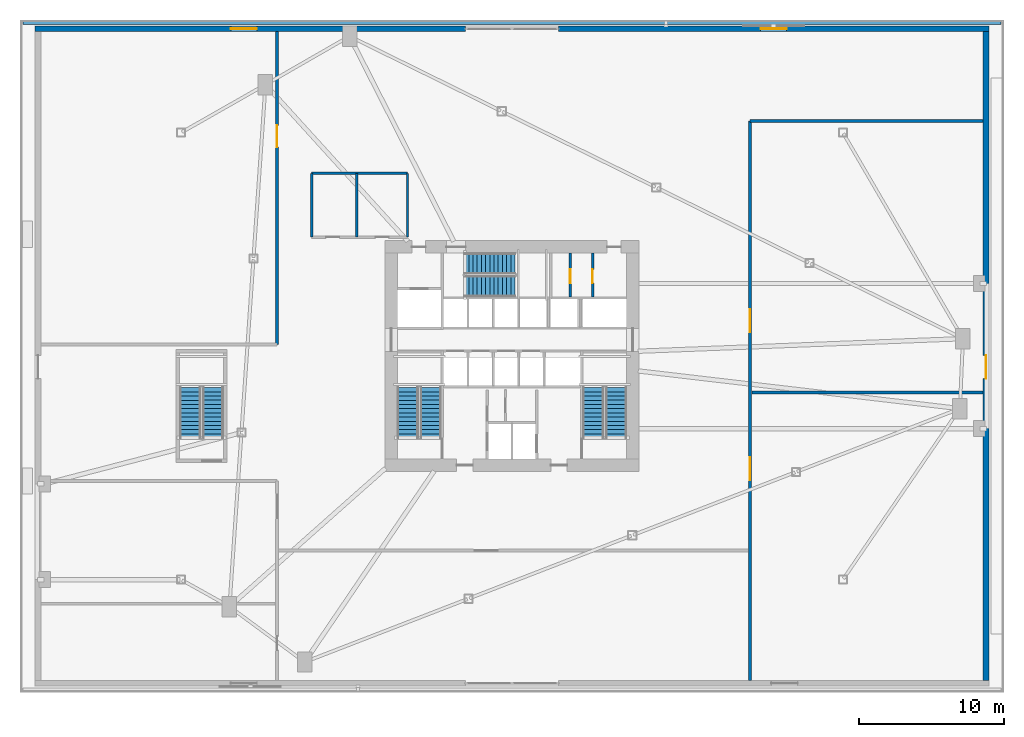
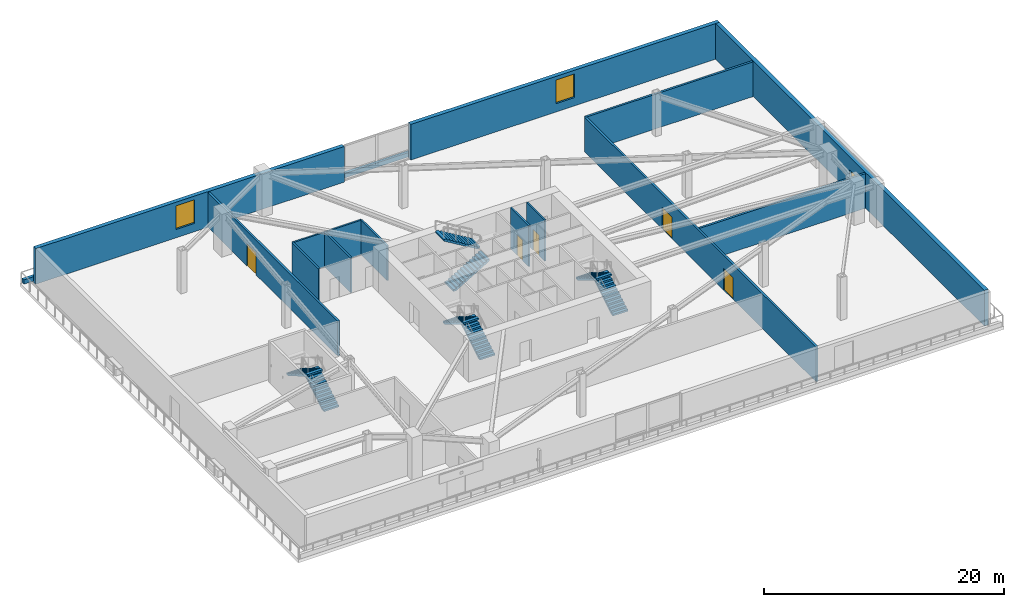
# One storey, part 10 of 16: 14 walls, 8 stair flights, 6 doors, 2 windows, 8 openings, 4 elements without a shape of their own.
"""IFC4 building model written with IfcOpenShell, lengths in metres."""

from ifc_helpers import new_model, si_unit, direction, frame, frame_2d, origin, place, context, subcontext, project, spatial, polyline, rectangle, outline, extrude, source, transform, mapped, material, layer, layer_set, type_object, type_shapes, element, fill, aggregate, save


model = new_model("IFC4")

# Units and contexts
model_context = context("Model", 3, precision=1e-05, world=origin(), true_north=direction((0.0, 1.0)))
body_context = subcontext(model_context, "Body", "Model", "MODEL_VIEW")
ifc_project = project(units=[si_unit("LENGTHUNIT", "METRE"), si_unit("AREAUNIT", "SQUARE_METRE"), si_unit("VOLUMEUNIT", "CUBIC_METRE"), si_unit("PLANEANGLEUNIT", "RADIAN"), si_unit("MASSUNIT", "GRAM", prefix="KILO")], contexts=[model_context])

# Site, building, storey
site_placement = place(None, origin())
site = spatial("IfcSite", under=ifc_project, at=site_placement, CompositionType="ELEMENT")
building_placement = place(site_placement, origin())
building = spatial("IfcBuilding", under=site, at=building_placement, Name="Olszyna Solenne Hotel", CompositionType="ELEMENT")
storey_placement = place(building_placement, frame((0.0, 0.0, 15.60009765625)))
storey = spatial("IfcBuildingStorey", under=building, at=storey_placement, Name="L03", CompositionType="ELEMENT", Elevation=15.60009765625)

# Wall, opening, window
ifc_material_1 = material(Name="Terracotta cladding on precast concrete C45/55", Category="masonry")
ifc_layer_1 = layer(ifc_material_1, 0.3798828125, Name="Terracotta cladding on precast concrete C45/55")
ifc_layer_set_1 = layer_set([ifc_layer_1], Name="Terracotta cladding on precast concrete C45/55")
wall_type_1 = type_object("IfcWallType", Name="WL-EX380", PredefinedType="SOLIDWALL", material=ifc_layer_set_1)
wall_1_placement = place(storey_placement, frame((5.14990234375, 49.14990234375, 0.0), z_axis=(0.0, 0.0, 1.0), x_axis=(1.0, 0.0, 0.0)))
wall_1 = element("IfcWall", 1, at=wall_1_placement, inside=storey, type_object=wall_type_1, Name="Podium terracotta-precast exterior wall EW-L03-NW", PredefinedType="SOLIDWALL", context=body_context, shape_type="SweptSolid", body=[
    extrude(rectangle(XDim=29.650146484375, YDim=0.3798828125, at=frame_2d((14.8251953125, 0.0))), origin(), (0.0, 0.0, 1.0), 3.621826171875),
])
opening_1_placement = place(wall_1_placement, frame((13.47509765625, 0.0, 0.85009765625)))
opening_1 = element("IfcOpeningElement", 2, at=opening_1_placement, cuts=wall_1, Name="Opening WN-L03-015", PredefinedType="OPENING", context=body_context, shape_type="SweptSolid", body=[
    extrude(rectangle(XDim=1.800048828125, YDim=2.39990234375, at=frame_2d((0.89990234375, 1.199951171875))), frame((0.0, 0.199951171875, 0.0), z_axis=(0.0, -1.0, 0.0), x_axis=(1.0, 0.0, 0.0)), (0.0, 0.0, 1.0), 0.39990234375),
])
ifc_material_2 = material(Name="Low-E triple glazing", Category="glass")
window_type = type_object("IfcWindowType", Name="WN-PD2", PartitioningType="SINGLE_PANEL", PredefinedType="WINDOW", material=ifc_material_2)
shared_shape_1 = source(origin(), body_context, "Body", "SweptSolid", [
    extrude(rectangle(XDim=1.800048828125, YDim=2.39990234375, at=frame_2d((0.89990234375, 1.199951171875))), frame((0.0, 0.030029296875, 0.0), z_axis=(0.0, -1.0, 0.0), x_axis=(1.0, 0.0, 0.0)), (0.0, 0.0, 1.0), 0.06005859375),
])
type_shapes(window_type, [shared_shape_1])
window_1_placement = place(opening_1_placement, origin())
window_1 = element("IfcWindow", 3, at=window_1_placement, inside=storey, type_object=window_type, Name="Podium triple-glazed window WN-PD2 WN-L03-015", OverallHeight=2.39990234375, OverallWidth=1.800048828125, PartitioningType="SINGLE_PANEL", PredefinedType="WINDOW", context=body_context, shape_type="MappedRepresentation", body=[
    mapped(shared_shape_1, transform((0.0, 0.0, 0.0), x_axis=(1.0, 0.0, 0.0), y_axis=(0.0, 1.0, 0.0), z_axis=(0.0, 0.0, 1.0), scale=1.0)),
])
fill(opening_1, window_1)

wall_2_placement = place(storey_placement, frame((41.199951171875, 49.14990234375, 0.0), z_axis=(0.0, 0.0, 1.0), x_axis=(1.0, 0.0, 0.0)))
wall_2 = element("IfcWall", 4, at=wall_2_placement, inside=storey, type_object=wall_type_1, Name="Podium terracotta-precast exterior wall EW-L03-NE", PredefinedType="SOLIDWALL", context=body_context, shape_type="SweptSolid", body=[
    extrude(rectangle(XDim=29.650146484375, YDim=0.3798828125, at=frame_2d((14.8251953125, 0.0))), origin(), (0.0, 0.0, 1.0), 3.621826171875),
])
opening_2_placement = place(wall_2_placement, frame((13.925048828125, 0.0, 0.85009765625)))
opening_2 = element("IfcOpeningElement", 5, at=opening_2_placement, cuts=wall_2, Name="Opening WN-L03-016", PredefinedType="OPENING", context=body_context, shape_type="SweptSolid", body=[
    extrude(rectangle(XDim=1.800048828125, YDim=2.39990234375, at=frame_2d((0.89990234375, 1.199951171875))), frame((0.0, 0.199951171875, 0.0), z_axis=(0.0, -1.0, 0.0), x_axis=(1.0, 0.0, 0.0)), (0.0, 0.0, 1.0), 0.39990234375),
])
window_2_placement = place(opening_2_placement, origin())
window_2 = element("IfcWindow", 6, at=window_2_placement, inside=storey, type_object=window_type, Name="Podium triple-glazed window WN-PD2 WN-L03-016", OverallHeight=2.39990234375, OverallWidth=1.800048828125, PartitioningType="SINGLE_PANEL", PredefinedType="WINDOW", context=body_context, shape_type="MappedRepresentation", body=[
    mapped(shared_shape_1, transform((0.0, 0.0, 0.0), x_axis=(1.0, 0.0, 0.0), y_axis=(0.0, 1.0, 0.0), z_axis=(0.0, 0.0, 1.0), scale=1.0)),
])
fill(opening_2, window_2)

# Wall, opening, door
wall_3_placement = place(storey_placement, frame((70.659912109375, 48.9599609375, 0.0), z_axis=(0.0, 0.0, 1.0), x_axis=(0.0, -1.0, 0.0)))
wall_3 = element("IfcWall", 7, at=wall_3_placement, inside=storey, type_object=wall_type_1, Name="Podium terracotta-precast exterior wall EW-L03-E", PredefinedType="SOLIDWALL", context=body_context, shape_type="SweptSolid", body=[
    extrude(rectangle(XDim=44.719970703125, YDim=0.3798828125, at=frame_2d((22.35986328125, 0.0))), origin(), (0.0, 0.0, 1.0), 3.621826171875),
])
opening_3_placement = place(wall_3_placement, frame((22.31005859375, 0.0, 0.0)))
opening_3 = element("IfcOpeningElement", 8, at=opening_3_placement, cuts=wall_3, Name="Opening TD-L03-E", PredefinedType="OPENING", context=body_context, shape_type="SweptSolid", body=[
    extrude(rectangle(XDim=1.60009765625, YDim=2.300048828125, at=frame_2d((0.800048828125, 1.14990234375))), frame((0.0, 0.199951171875, 0.0), z_axis=(0.0, -1.0, 0.0), x_axis=(1.0, 0.0, 0.0)), (0.0, 0.0, 1.0), 0.39990234375),
])
ifc_material_3 = material(Name="Anodised bronze aluminium", Category="aluminium")
door_type_1 = type_object("IfcDoorType", Name="DR-EX2", OperationType="DOUBLE_DOOR_SINGLE_SWING", PredefinedType="DOOR", material=ifc_material_3)
shared_shape_2 = source(origin(), body_context, "Body", "SweptSolid", [
    extrude(rectangle(XDim=1.60009765625, YDim=2.300048828125, at=frame_2d((0.800048828125, 1.14990234375))), frame((0.0, 0.02490234375, 0.0), z_axis=(0.0, -1.0, 0.0), x_axis=(1.0, 0.0, 0.0)), (0.0, 0.0, 1.0), 0.050048828125),
])
type_shapes(door_type_1, [shared_shape_2])
door_1_placement = place(opening_3_placement, origin())
door_1 = element("IfcDoor", 9, at=door_1_placement, inside=storey, type_object=door_type_1, Name="Garden Terrace Double Door TD-L03-E", OperationType="DOUBLE_DOOR_SINGLE_SWING", OverallHeight=2.300048828125, OverallWidth=1.60009765625, PredefinedType="DOOR", context=body_context, shape_type="MappedRepresentation", body=[
    mapped(shared_shape_2, transform((0.0, 0.0, 0.0), x_axis=(1.0, 0.0, 0.0), y_axis=(0.0, 1.0, 0.0), z_axis=(0.0, 0.0, 1.0), scale=1.0)),
])
fill(opening_3, door_1)

# Wall
ifc_layer_2 = layer(ifc_material_1, 0.280029296875, Name="Terracotta cladding on precast concrete C45/55")
ifc_layer_set_2 = layer_set([ifc_layer_2], Name="Terracotta cladding on precast concrete C45/55")
wall_type_2 = type_object("IfcWallType", Name="WL-PR280", PredefinedType="PARAPET", material=ifc_layer_set_2)
wall_4_placement = place(storey_placement, frame((4.300048828125, 49.60009765625, 0.0), z_axis=(0.0, 0.0, 1.0), x_axis=(1.0, 0.0, 0.0)))
element("IfcWall", 10, at=wall_4_placement, inside=storey, type_object=wall_type_2, Name="Garden terrace parapet upstand PR-L03-N", PredefinedType="PARAPET", context=body_context, shape_type="SweptSolid", body=[
    extrude(rectangle(XDim=67.39990234375, YDim=0.280029296875, at=frame_2d((33.699951171875, 0.0))), origin(), (0.0, 0.0, 1.0), 0.449951171875),
])

# Wall, opening, door
ifc_material_4 = material(Name="Acoustic gypsum partition", Category="gypsum")
ifc_layer_3 = layer(ifc_material_4, 0.159912109375, Name="Acoustic gypsum partition")
ifc_layer_set_3 = layer_set([ifc_layer_3], Name="Acoustic gypsum partition")
wall_type_3 = type_object("IfcWallType", Name="WL-PT160", PredefinedType="PARTITIONING", material=ifc_layer_set_3)
wall_5_placement = place(storey_placement, frame((42.014892578125, 30.679931640625, 0.0), z_axis=(0.0, 0.0, 1.0), x_axis=(0.0, 1.0, 0.0)))
wall_5 = element("IfcWall", 11, at=wall_5_placement, inside=storey, type_object=wall_type_3, Name="Core shaft compartment wall CW-L03-BOH3A", PredefinedType="PARTITIONING", context=body_context, shape_type="SweptSolid", body=[
    extrude(rectangle(XDim=3.02001953125, YDim=0.159912109375, at=frame_2d((1.510009765625, 0.0))), origin(), (0.0, 0.0, 1.0), 4.179931640625),
])
opening_4_placement = place(wall_5_placement, frame((0.949951171875, 0.0, 0.0)))
opening_4 = element("IfcOpeningElement", 12, at=opening_4_placement, cuts=wall_5, Name="Opening SVD-L03-B31", PredefinedType="OPENING", context=body_context, shape_type="SweptSolid", body=[
    extrude(rectangle(XDim=0.949951171875, YDim=2.10009765625, at=frame_2d((0.47509765625, 1.050048828125))), frame((0.0, 0.08984375, 0.0), z_axis=(0.0, -1.0, 0.0), x_axis=(1.0, 0.0, 0.0)), (0.0, 0.0, 1.0), 0.179931640625),
])
ifc_material_5 = material(Name="Steel S355J2", Category="steel")
door_type_2 = type_object("IfcDoorType", Name="DR-SV1", OperationType="NOTDEFINED", PredefinedType="DOOR", material=ifc_material_5)
shared_shape_3 = source(origin(), body_context, "Body", "SweptSolid", [
    extrude(rectangle(XDim=0.949951171875, YDim=2.10009765625, at=frame_2d((0.47509765625, 1.050048828125))), frame((0.0, 0.02490234375, 0.0), z_axis=(0.0, -1.0, 0.0), x_axis=(1.0, 0.0, 0.0)), (0.0, 0.0, 1.0), 0.050048828125),
])
type_shapes(door_type_2, [shared_shape_3])
door_2_placement = place(opening_4_placement, origin())
door_2 = element("IfcDoor", 13, at=door_2_placement, inside=storey, type_object=door_type_2, Name="BOH inter-room fire door SVD-L03-B31", OperationType="SINGLE_SWING_LEFT", OverallHeight=2.10009765625, OverallWidth=0.949951171875, PredefinedType="DOOR", context=body_context, shape_type="MappedRepresentation", body=[
    mapped(shared_shape_3, transform((0.0, 0.0, 0.0), x_axis=(1.0, 0.0, 0.0), y_axis=(0.0, 1.0, 0.0), z_axis=(0.0, 0.0, 1.0), scale=1.0)),
])
fill(opening_4, door_2)

wall_6_placement = place(storey_placement, frame((43.554931640625, 30.679931640625, 0.0), z_axis=(0.0, 0.0, 1.0), x_axis=(0.0, 1.0, 0.0)))
wall_6 = element("IfcWall", 14, at=wall_6_placement, inside=storey, type_object=wall_type_3, Name="Core shaft compartment wall CW-L03-BOH3B", PredefinedType="PARTITIONING", context=body_context, shape_type="SweptSolid", body=[
    extrude(rectangle(XDim=3.02001953125, YDim=0.159912109375, at=frame_2d((1.510009765625, 0.0))), origin(), (0.0, 0.0, 1.0), 4.179931640625),
])
opening_5_placement = place(wall_6_placement, frame((0.949951171875, 0.0, 0.0)))
opening_5 = element("IfcOpeningElement", 15, at=opening_5_placement, cuts=wall_6, Name="Opening SVD-L03-B32", PredefinedType="OPENING", context=body_context, shape_type="SweptSolid", body=[
    extrude(rectangle(XDim=0.949951171875, YDim=2.10009765625, at=frame_2d((0.47509765625, 1.050048828125))), frame((0.0, 0.08984375, 0.0), z_axis=(0.0, -1.0, 0.0), x_axis=(1.0, 0.0, 0.0)), (0.0, 0.0, 1.0), 0.179931640625),
])
door_3_placement = place(opening_5_placement, origin())
door_3 = element("IfcDoor", 16, at=door_3_placement, inside=storey, type_object=door_type_2, Name="BOH inter-room fire door SVD-L03-B32", OperationType="SINGLE_SWING_LEFT", OverallHeight=2.10009765625, OverallWidth=0.949951171875, PredefinedType="DOOR", context=body_context, shape_type="MappedRepresentation", body=[
    mapped(shared_shape_3, transform((0.0, 0.0, 0.0), x_axis=(1.0, 0.0, 0.0), y_axis=(0.0, 1.0, 0.0), z_axis=(0.0, 0.0, 1.0), scale=1.0)),
])
fill(opening_5, door_3)

# Walls
wall_7_placement = place(storey_placement, frame((24.199951171875, 39.199951171875, 0.0), z_axis=(0.0, 0.0, 1.0), x_axis=(1.0, 0.0, 0.0)))
element("IfcWall", 17, at=wall_7_placement, inside=storey, type_object=wall_type_3, Name="Interior acoustic partition WL-PT160 PW-L03-0238", PredefinedType="PARTITIONING", context=body_context, shape_type="SweptSolid", body=[
    extrude(rectangle(XDim=6.60009765625, YDim=0.159912109375, at=frame_2d((3.300048828125, 0.0))), origin(), (0.0, 0.0, 1.0), 3.52978515625),
])
for number, where, z_axis, x_axis, name in (
    (18, (24.199951171875, 34.800048828125, 0.0), (0.0, 0.0, 1.0), (0.0, 1.0, 0.0), "Interior acoustic partition WL-PT160 PW-L03-0239"),
    (19, (27.300048828125, 34.800048828125, 0.0), (0.0, 0.0, 1.0), (0.0, 1.0, 0.0), "Interior acoustic partition WL-PT160 PW-L03-0240"),
    (20, (30.800048828125, 34.800048828125, 0.0), (0.0, 0.0, 1.0), (0.0, 1.0, 0.0), "Interior acoustic partition WL-PT160 PW-L03-0241"),
):
    element("IfcWall", number, at=place(storey_placement, frame(where, z_axis=z_axis, x_axis=x_axis)), inside=storey, type_object=wall_type_3, Name=name, PredefinedType="PARTITIONING", context=body_context, shape_type="SweptSolid", body=[
        extrude(rectangle(XDim=4.39990234375, YDim=0.159912109375, at=frame_2d((2.199951171875, 0.0))), origin(), (0.0, 0.0, 1.0), 3.52978515625),
    ])

# Wall, opening, door
ifc_layer_4 = layer(ifc_material_4, 0.199951171875, Name="Acoustic gypsum partition")
ifc_layer_set_4 = layer_set([ifc_layer_4], Name="Acoustic gypsum partition")
wall_type_4 = type_object("IfcWallType", Name="WL-PT200", PredefinedType="PARTITIONING", material=ifc_layer_set_4)
wall_8_placement = place(storey_placement, frame((21.800048828125, 27.39990234375, 0.0), z_axis=(0.0, 0.0, 1.0), x_axis=(0.0, 1.0, 0.0)))
wall_8 = element("IfcWall", 21, at=wall_8_placement, inside=storey, type_object=wall_type_4, Name="Interior acoustic partition WL-PT200 PW-L03-0231", PredefinedType="PARTITIONING", context=body_context, shape_type="SweptSolid", body=[
    extrude(rectangle(XDim=21.56005859375, YDim=0.199951171875, at=frame_2d((10.780029296875, 0.0))), origin(), (0.0, 0.0, 1.0), 3.52978515625),
])
opening_6_placement = place(wall_8_placement, frame((13.60009765625, 0.0, 0.0)))
opening_6 = element("IfcOpeningElement", 22, at=opening_6_placement, cuts=wall_8, Name="Opening DR-L03-0047", PredefinedType="OPENING", context=body_context, shape_type="SweptSolid", body=[
    extrude(rectangle(XDim=1.5, YDim=2.25, at=frame_2d((0.75, 1.125))), frame((0.0, 0.10986328125, 0.0), z_axis=(0.0, -1.0, 0.0), x_axis=(1.0, 0.0, 0.0)), (0.0, 0.0, 1.0), 0.219970703125),
])
door_type_3 = type_object("IfcDoorType", Name="DR-PL1", OperationType="DOUBLE_DOOR_SINGLE_SWING", PredefinedType="DOOR", material=ifc_material_5)
shared_shape_4 = source(origin(), body_context, "Body", "SweptSolid", [
    extrude(rectangle(XDim=1.5, YDim=2.25, at=frame_2d((0.75, 1.125))), frame((0.0, 0.02490234375, 0.0), z_axis=(0.0, -1.0, 0.0), x_axis=(1.0, 0.0, 0.0)), (0.0, 0.0, 1.0), 0.050048828125),
])
type_shapes(door_type_3, [shared_shape_4])
door_4_placement = place(opening_6_placement, origin())
door_4 = element("IfcDoor", 23, at=door_4_placement, inside=storey, type_object=door_type_3, Name="Kitchen Double Door DR-L03-0047", OperationType="DOUBLE_DOOR_SINGLE_SWING", OverallHeight=2.25, OverallWidth=1.5, PredefinedType="DOOR", context=body_context, shape_type="MappedRepresentation", body=[
    mapped(shared_shape_4, transform((0.0, 0.0, 0.0), x_axis=(1.0, 0.0, 0.0), y_axis=(0.0, 1.0, 0.0), z_axis=(0.0, 0.0, 1.0), scale=1.0)),
])
fill(opening_6, door_4)

# Wall, openings, doors
wall_9_placement = place(storey_placement, frame((54.39990234375, 4.239990234375, 0.0), z_axis=(0.0, 0.0, 1.0), x_axis=(0.0, 1.0, 0.0)))
wall_9 = element("IfcWall", 24, at=wall_9_placement, inside=storey, type_object=wall_type_4, Name="Interior acoustic partition WL-PT200 PW-L03-0234", PredefinedType="PARTITIONING", context=body_context, shape_type="SweptSolid", body=[
    extrude(rectangle(XDim=38.56005859375, YDim=0.199951171875, at=frame_2d((19.280029296875, 0.0))), origin(), (0.0, 0.0, 1.0), 3.52978515625),
])
opening_7_placement = place(wall_9_placement, frame((13.800048828125, 0.0, 0.0)))
opening_7 = element("IfcOpeningElement", 25, at=opening_7_placement, cuts=wall_9, Name="Opening DR-L03-0049", PredefinedType="OPENING", context=body_context, shape_type="SweptSolid", body=[
    extrude(rectangle(XDim=1.60009765625, YDim=2.199951171875, at=frame_2d((0.800048828125, 1.10009765625))), frame((0.0, 0.10986328125, 0.0), z_axis=(0.0, -1.0, 0.0), x_axis=(1.0, 0.0, 0.0)), (0.0, 0.0, 1.0), 0.219970703125),
])
opening_8_placement = place(wall_9_placement, frame((24.0, 0.0, 0.0)))
opening_8 = element("IfcOpeningElement", 26, at=opening_8_placement, cuts=wall_9, Name="Opening DR-L03-0050", PredefinedType="OPENING", context=body_context, shape_type="SweptSolid", body=[
    extrude(rectangle(XDim=1.60009765625, YDim=2.199951171875, at=frame_2d((0.800048828125, 1.10009765625))), frame((0.0, 0.10986328125, 0.0), z_axis=(0.0, -1.0, 0.0), x_axis=(1.0, 0.0, 0.0)), (0.0, 0.0, 1.0), 0.219970703125),
])
ifc_material_6 = material(Name="Timber hardwood", Category="wood")
door_type_4 = type_object("IfcDoorType", Name="DR-CR1", OperationType="DOUBLE_DOOR_SINGLE_SWING", PredefinedType="DOOR", material=ifc_material_6)
shared_shape_5 = source(origin(), body_context, "Body", "SweptSolid", [
    extrude(rectangle(XDim=1.60009765625, YDim=2.199951171875, at=frame_2d((0.800048828125, 1.10009765625))), frame((0.0, 0.02490234375, 0.0), z_axis=(0.0, -1.0, 0.0), x_axis=(1.0, 0.0, 0.0)), (0.0, 0.0, 1.0), 0.050048828125),
])
type_shapes(door_type_4, [shared_shape_5])
door_5_placement = place(opening_7_placement, origin())
door_5 = element("IfcDoor", 27, at=door_5_placement, inside=storey, type_object=door_type_4, Name="East Foyer Entrance DR-L03-0049", OperationType="DOUBLE_DOOR_SINGLE_SWING", OverallHeight=2.199951171875, OverallWidth=1.60009765625, PredefinedType="DOOR", context=body_context, shape_type="MappedRepresentation", body=[
    mapped(shared_shape_5, transform((0.0, 0.0, 0.0), x_axis=(1.0, 0.0, 0.0), y_axis=(0.0, 1.0, 0.0), z_axis=(0.0, 0.0, 1.0), scale=1.0)),
])
fill(opening_7, door_5)
door_6_placement = place(opening_8_placement, origin())
door_6 = element("IfcDoor", 28, at=door_6_placement, inside=storey, type_object=door_type_4, Name="East Gallery Entrance DR-L03-0050", OperationType="DOUBLE_DOOR_SINGLE_SWING", OverallHeight=2.199951171875, OverallWidth=1.60009765625, PredefinedType="DOOR", context=body_context, shape_type="MappedRepresentation", body=[
    mapped(shared_shape_5, transform((0.0, 0.0, 0.0), x_axis=(1.0, 0.0, 0.0), y_axis=(0.0, 1.0, 0.0), z_axis=(0.0, 0.0, 1.0), scale=1.0)),
])
fill(opening_8, door_6)

# Walls
wall_10_placement = place(storey_placement, frame((54.52001953125, 24.10009765625, 0.0), z_axis=(0.0, 0.0, 1.0), x_axis=(1.0, 0.0, 0.0)))
element("IfcWall", 29, at=wall_10_placement, inside=storey, type_object=wall_type_4, Name="Interior acoustic partition WL-PT200 PW-L03-0235", PredefinedType="PARTITIONING", context=body_context, shape_type="SweptSolid", body=[
    extrude(rectangle(XDim=15.949951171875, YDim=0.199951171875, at=frame_2d((7.97509765625, 0.0))), origin(), (0.0, 0.0, 1.0), 3.52978515625),
])
wall_11_placement = place(storey_placement, frame((54.39990234375, 42.800048828125, 0.0), z_axis=(0.0, 0.0, 1.0), x_axis=(1.0, 0.0, 0.0)))
element("IfcWall", 30, at=wall_11_placement, inside=storey, type_object=wall_type_4, Name="Interior acoustic partition WL-PT200 PW-L03-0236", PredefinedType="PARTITIONING", context=body_context, shape_type="SweptSolid", body=[
    extrude(rectangle(XDim=16.070068359375, YDim=0.199951171875, at=frame_2d((8.03515625, 0.0))), origin(), (0.0, 0.0, 1.0), 3.52978515625),
])

# Stair, stair flights
ifc_material_7 = material(Name="Concrete C40/50", Category="concrete")
stair_type_1 = type_object("IfcStairType", Name="STR-C1", PredefinedType="TWO_QUARTER_WINDING_STAIR", material=ifc_material_7)
stair_1_placement = place(storey_placement, origin())
stair_1 = element("IfcStair", 31, at=stair_1_placement, inside=storey, type_object=stair_type_1, Name="L03 ST1", PredefinedType="TWO_QUARTER_WINDING_STAIR")
stair_flight_type_1 = type_object("IfcStairFlightType", Name="FLT-C1", PredefinedType="STRAIGHT", material=ifc_material_7)
stair_flight_1_placement = place(storey_placement, frame((32.39501953125, 20.949951171875, 0.0), z_axis=(0.0, 0.0, 1.0), x_axis=(0.0, 1.0, 0.0)))
stair_flight_1 = element("IfcStairFlight", 32, at=stair_flight_1_placement, type_object=stair_flight_type_1, Name="ST1 flight 1", NumberOfRisers=13, NumberOfTreads=12, PredefinedType="STRAIGHT", RiserHeight=0.173076923, TreadLength=0.29, context=body_context, shape_type="SweptSolid", body=[
    extrude(outline(polyline([(0.0, 0.0), (0.0, 0.173095703125), (0.2900390625, 0.173095703125), (0.2900390625, 0.34619140625), (0.580078125, 0.34619140625), (0.580078125, 0.519287109375), (0.8701171875, 0.519287109375), (0.8701171875, 0.6923828125), (1.159912109375, 0.6923828125), (1.159912109375, 0.865478515625), (1.449951171875, 0.865478515625), (1.449951171875, 1.03857421875), (1.739990234375, 1.03857421875), (1.739990234375, 1.21142578125), (2.030029296875, 1.21142578125), (2.030029296875, 1.384521484375), (2.320068359375, 1.384521484375), (2.320068359375, 1.5576171875), (2.610107421875, 1.5576171875), (2.610107421875, 1.730712890625), (2.89990234375, 1.730712890625), (2.89990234375, 1.90380859375), (3.18994140625, 1.90380859375), (3.18994140625, 2.076904296875), (3.47998046875, 2.076904296875), (3.47998046875, 2.25), (3.47998046875, 1.90234375), (0.29248046875, 0.0), (0.0, 0.0)])), frame((0.0, 0.72509765625, 0.0), z_axis=(0.0, -1.0, 0.0), x_axis=(1.0, 0.0, 0.0)), (0.0, 0.0, 1.0), 1.449951171875),
])
stair_flight_2_placement = place(storey_placement, frame((30.824951171875, 24.429931640625, 2.25), z_axis=(0.0, 0.0, 1.0), x_axis=(0.0, -1.0, 0.0)))
stair_flight_2 = element("IfcStairFlight", 33, at=stair_flight_2_placement, type_object=stair_flight_type_1, Name="ST1 flight 2", NumberOfRisers=13, NumberOfTreads=12, PredefinedType="STRAIGHT", RiserHeight=0.173076923, TreadLength=0.29, context=body_context, shape_type="SweptSolid", body=[
    extrude(outline(polyline([(0.0, 0.0), (0.0, 0.173095703125), (0.2900390625, 0.173095703125), (0.2900390625, 0.34619140625), (0.580078125, 0.34619140625), (0.580078125, 0.519287109375), (0.8701171875, 0.519287109375), (0.8701171875, 0.6923828125), (1.159912109375, 0.6923828125), (1.159912109375, 0.865478515625), (1.449951171875, 0.865478515625), (1.449951171875, 1.03857421875), (1.739990234375, 1.03857421875), (1.739990234375, 1.21142578125), (2.030029296875, 1.21142578125), (2.030029296875, 1.384521484375), (2.320068359375, 1.384521484375), (2.320068359375, 1.5576171875), (2.610107421875, 1.5576171875), (2.610107421875, 1.730712890625), (2.89990234375, 1.730712890625), (2.89990234375, 1.90380859375), (3.18994140625, 1.90380859375), (3.18994140625, 2.076904296875), (3.47998046875, 2.076904296875), (3.47998046875, 2.25), (3.47998046875, 1.90234375), (0.29248046875, 0.0), (0.0, 0.0)])), frame((0.0, 0.72509765625, 0.0), z_axis=(0.0, -1.0, 0.0), x_axis=(1.0, 0.0, 0.0)), (0.0, 0.0, 1.0), 1.449951171875),
])
aggregate(stair_1, [stair_flight_1, stair_flight_2])

stair_2_placement = place(storey_placement, origin())
stair_2 = element("IfcStair", 34, at=stair_2_placement, inside=storey, type_object=stair_type_1, Name="L03 ST2", PredefinedType="TWO_QUARTER_WINDING_STAIR")
stair_flight_3_placement = place(storey_placement, frame((45.175048828125, 20.949951171875, 0.0), z_axis=(0.0, 0.0, 1.0), x_axis=(0.0, 1.0, 0.0)))
stair_flight_3 = element("IfcStairFlight", 35, at=stair_flight_3_placement, type_object=stair_flight_type_1, Name="ST2 flight 1", NumberOfRisers=13, NumberOfTreads=12, PredefinedType="STRAIGHT", RiserHeight=0.173076923, TreadLength=0.29, context=body_context, shape_type="SweptSolid", body=[
    extrude(outline(polyline([(0.0, 0.0), (0.0, 0.173095703125), (0.2900390625, 0.173095703125), (0.2900390625, 0.34619140625), (0.580078125, 0.34619140625), (0.580078125, 0.519287109375), (0.8701171875, 0.519287109375), (0.8701171875, 0.6923828125), (1.159912109375, 0.6923828125), (1.159912109375, 0.865478515625), (1.449951171875, 0.865478515625), (1.449951171875, 1.03857421875), (1.739990234375, 1.03857421875), (1.739990234375, 1.21142578125), (2.030029296875, 1.21142578125), (2.030029296875, 1.384521484375), (2.320068359375, 1.384521484375), (2.320068359375, 1.5576171875), (2.610107421875, 1.5576171875), (2.610107421875, 1.730712890625), (2.89990234375, 1.730712890625), (2.89990234375, 1.90380859375), (3.18994140625, 1.90380859375), (3.18994140625, 2.076904296875), (3.47998046875, 2.076904296875), (3.47998046875, 2.25), (3.47998046875, 1.90234375), (0.29248046875, 0.0), (0.0, 0.0)])), frame((0.0, 0.72509765625, 0.0), z_axis=(0.0, -1.0, 0.0), x_axis=(1.0, 0.0, 0.0)), (0.0, 0.0, 1.0), 1.449951171875),
])
stair_flight_4_placement = place(storey_placement, frame((43.60498046875, 24.429931640625, 2.25), z_axis=(0.0, 0.0, 1.0), x_axis=(0.0, -1.0, 0.0)))
stair_flight_4 = element("IfcStairFlight", 36, at=stair_flight_4_placement, type_object=stair_flight_type_1, Name="ST2 flight 2", NumberOfRisers=13, NumberOfTreads=12, PredefinedType="STRAIGHT", RiserHeight=0.173076923, TreadLength=0.29, context=body_context, shape_type="SweptSolid", body=[
    extrude(outline(polyline([(0.0, 0.0), (0.0, 0.173095703125), (0.2900390625, 0.173095703125), (0.2900390625, 0.34619140625), (0.580078125, 0.34619140625), (0.580078125, 0.519287109375), (0.8701171875, 0.519287109375), (0.8701171875, 0.6923828125), (1.159912109375, 0.6923828125), (1.159912109375, 0.865478515625), (1.449951171875, 0.865478515625), (1.449951171875, 1.03857421875), (1.739990234375, 1.03857421875), (1.739990234375, 1.21142578125), (2.030029296875, 1.21142578125), (2.030029296875, 1.384521484375), (2.320068359375, 1.384521484375), (2.320068359375, 1.5576171875), (2.610107421875, 1.5576171875), (2.610107421875, 1.730712890625), (2.89990234375, 1.730712890625), (2.89990234375, 1.90380859375), (3.18994140625, 1.90380859375), (3.18994140625, 2.076904296875), (3.47998046875, 2.076904296875), (3.47998046875, 2.25), (3.47998046875, 1.90234375), (0.29248046875, 0.0), (0.0, 0.0)])), frame((0.0, 0.72509765625, 0.0), z_axis=(0.0, -1.0, 0.0), x_axis=(1.0, 0.0, 0.0)), (0.0, 0.0, 1.0), 1.449951171875),
])
aggregate(stair_2, [stair_flight_3, stair_flight_4])

stair_3_placement = place(storey_placement, origin())
stair_3 = element("IfcStair", 37, at=stair_3_placement, inside=storey, type_object=stair_type_1, Name="L03 ST3", PredefinedType="TWO_QUARTER_WINDING_STAIR")
stair_flight_5_placement = place(storey_placement, frame((34.72998046875, 31.405029296875, 0.0), z_axis=(0.0, 0.0, 1.0), x_axis=(1.0, 0.0, 0.0)))
stair_flight_5 = element("IfcStairFlight", 38, at=stair_flight_5_placement, type_object=stair_flight_type_1, Name="ST3 flight 1", NumberOfRisers=13, NumberOfTreads=12, PredefinedType="STRAIGHT", RiserHeight=0.173076923, TreadLength=0.29, context=body_context, shape_type="SweptSolid", body=[
    extrude(outline(polyline([(0.0, 0.0), (0.0, 0.173095703125), (0.2900390625, 0.173095703125), (0.2900390625, 0.34619140625), (0.580078125, 0.34619140625), (0.580078125, 0.519287109375), (0.8701171875, 0.519287109375), (0.8701171875, 0.6923828125), (1.159912109375, 0.6923828125), (1.159912109375, 0.865478515625), (1.449951171875, 0.865478515625), (1.449951171875, 1.03857421875), (1.739990234375, 1.03857421875), (1.739990234375, 1.21142578125), (2.030029296875, 1.21142578125), (2.030029296875, 1.384521484375), (2.320068359375, 1.384521484375), (2.320068359375, 1.5576171875), (2.610107421875, 1.5576171875), (2.610107421875, 1.730712890625), (2.89990234375, 1.730712890625), (2.89990234375, 1.90380859375), (3.18994140625, 1.90380859375), (3.18994140625, 2.076904296875), (3.47998046875, 2.076904296875), (3.47998046875, 2.25), (3.47998046875, 1.90234375), (0.29248046875, 0.0), (0.0, 0.0)])), frame((0.0, 0.72509765625, 0.0), z_axis=(0.0, -1.0, 0.0), x_axis=(1.0, 0.0, 0.0)), (0.0, 0.0, 1.0), 1.449951171875),
])
stair_flight_6_placement = place(storey_placement, frame((38.2099609375, 32.97509765625, 2.25), z_axis=(0.0, 0.0, 1.0), x_axis=(-1.0, 0.0, 0.0)))
stair_flight_6 = element("IfcStairFlight", 39, at=stair_flight_6_placement, type_object=stair_flight_type_1, Name="ST3 flight 2", NumberOfRisers=13, NumberOfTreads=12, PredefinedType="STRAIGHT", RiserHeight=0.173076923, TreadLength=0.29, context=body_context, shape_type="SweptSolid", body=[
    extrude(outline(polyline([(0.0, 0.0), (0.0, 0.173095703125), (0.2900390625, 0.173095703125), (0.2900390625, 0.34619140625), (0.580078125, 0.34619140625), (0.580078125, 0.519287109375), (0.8701171875, 0.519287109375), (0.8701171875, 0.6923828125), (1.159912109375, 0.6923828125), (1.159912109375, 0.865478515625), (1.449951171875, 0.865478515625), (1.449951171875, 1.03857421875), (1.739990234375, 1.03857421875), (1.739990234375, 1.21142578125), (2.030029296875, 1.21142578125), (2.030029296875, 1.384521484375), (2.320068359375, 1.384521484375), (2.320068359375, 1.5576171875), (2.610107421875, 1.5576171875), (2.610107421875, 1.730712890625), (2.89990234375, 1.730712890625), (2.89990234375, 1.90380859375), (3.18994140625, 1.90380859375), (3.18994140625, 2.076904296875), (3.47998046875, 2.076904296875), (3.47998046875, 2.25), (3.47998046875, 1.90234375), (0.29248046875, 0.0), (0.0, 0.0)])), frame((0.0, 0.72509765625, 0.0), z_axis=(0.0, -1.0, 0.0), x_axis=(1.0, 0.0, 0.0)), (0.0, 0.0, 1.0), 1.449951171875),
])
aggregate(stair_3, [stair_flight_5, stair_flight_6])

stair_type_2 = type_object("IfcStairType", Name="STR-P1", PredefinedType="TWO_QUARTER_WINDING_STAIR", material=ifc_material_7)
stair_4_placement = place(storey_placement, origin())
stair_4 = element("IfcStair", 40, at=stair_4_placement, inside=storey, type_object=stair_type_2, Name="L03 ST4", PredefinedType="TWO_QUARTER_WINDING_STAIR")
stair_flight_type_2 = type_object("IfcStairFlightType", Name="FLT-P1", PredefinedType="STRAIGHT", material=ifc_material_7)
stair_flight_7_placement = place(storey_placement, frame((17.39501953125, 20.949951171875, 0.0), z_axis=(0.0, 0.0, 1.0), x_axis=(0.0, 1.0, 0.0)))
stair_flight_7 = element("IfcStairFlight", 41, at=stair_flight_7_placement, type_object=stair_flight_type_2, Name="ST4 flight 1", NumberOfRisers=13, NumberOfTreads=12, PredefinedType="STRAIGHT", RiserHeight=0.173076923, TreadLength=0.29, context=body_context, shape_type="SweptSolid", body=[
    extrude(outline(polyline([(0.0, 0.0), (0.0, 0.173095703125), (0.2900390625, 0.173095703125), (0.2900390625, 0.34619140625), (0.580078125, 0.34619140625), (0.580078125, 0.519287109375), (0.8701171875, 0.519287109375), (0.8701171875, 0.6923828125), (1.159912109375, 0.6923828125), (1.159912109375, 0.865478515625), (1.449951171875, 0.865478515625), (1.449951171875, 1.03857421875), (1.739990234375, 1.03857421875), (1.739990234375, 1.21142578125), (2.030029296875, 1.21142578125), (2.030029296875, 1.384521484375), (2.320068359375, 1.384521484375), (2.320068359375, 1.5576171875), (2.610107421875, 1.5576171875), (2.610107421875, 1.730712890625), (2.89990234375, 1.730712890625), (2.89990234375, 1.90380859375), (3.18994140625, 1.90380859375), (3.18994140625, 2.076904296875), (3.47998046875, 2.076904296875), (3.47998046875, 2.25), (3.47998046875, 1.90234375), (0.29248046875, 0.0), (0.0, 0.0)])), frame((0.0, 0.72509765625, 0.0), z_axis=(0.0, -1.0, 0.0), x_axis=(1.0, 0.0, 0.0)), (0.0, 0.0, 1.0), 1.449951171875),
])
stair_flight_8_placement = place(storey_placement, frame((15.824951171875, 24.429931640625, 2.25), z_axis=(0.0, 0.0, 1.0), x_axis=(0.0, -1.0, 0.0)))
stair_flight_8 = element("IfcStairFlight", 42, at=stair_flight_8_placement, type_object=stair_flight_type_2, Name="ST4 flight 2", NumberOfRisers=13, NumberOfTreads=12, PredefinedType="STRAIGHT", RiserHeight=0.173076923, TreadLength=0.29, context=body_context, shape_type="SweptSolid", body=[
    extrude(outline(polyline([(0.0, 0.0), (0.0, 0.173095703125), (0.2900390625, 0.173095703125), (0.2900390625, 0.34619140625), (0.580078125, 0.34619140625), (0.580078125, 0.519287109375), (0.8701171875, 0.519287109375), (0.8701171875, 0.6923828125), (1.159912109375, 0.6923828125), (1.159912109375, 0.865478515625), (1.449951171875, 0.865478515625), (1.449951171875, 1.03857421875), (1.739990234375, 1.03857421875), (1.739990234375, 1.21142578125), (2.030029296875, 1.21142578125), (2.030029296875, 1.384521484375), (2.320068359375, 1.384521484375), (2.320068359375, 1.5576171875), (2.610107421875, 1.5576171875), (2.610107421875, 1.730712890625), (2.89990234375, 1.730712890625), (2.89990234375, 1.90380859375), (3.18994140625, 1.90380859375), (3.18994140625, 2.076904296875), (3.47998046875, 2.076904296875), (3.47998046875, 2.25), (3.47998046875, 1.90234375), (0.29248046875, 0.0), (0.0, 0.0)])), frame((0.0, 0.72509765625, 0.0), z_axis=(0.0, -1.0, 0.0), x_axis=(1.0, 0.0, 0.0)), (0.0, 0.0, 1.0), 1.449951171875),
])
aggregate(stair_4, [stair_flight_7, stair_flight_8])

save(model, "model.ifc")
